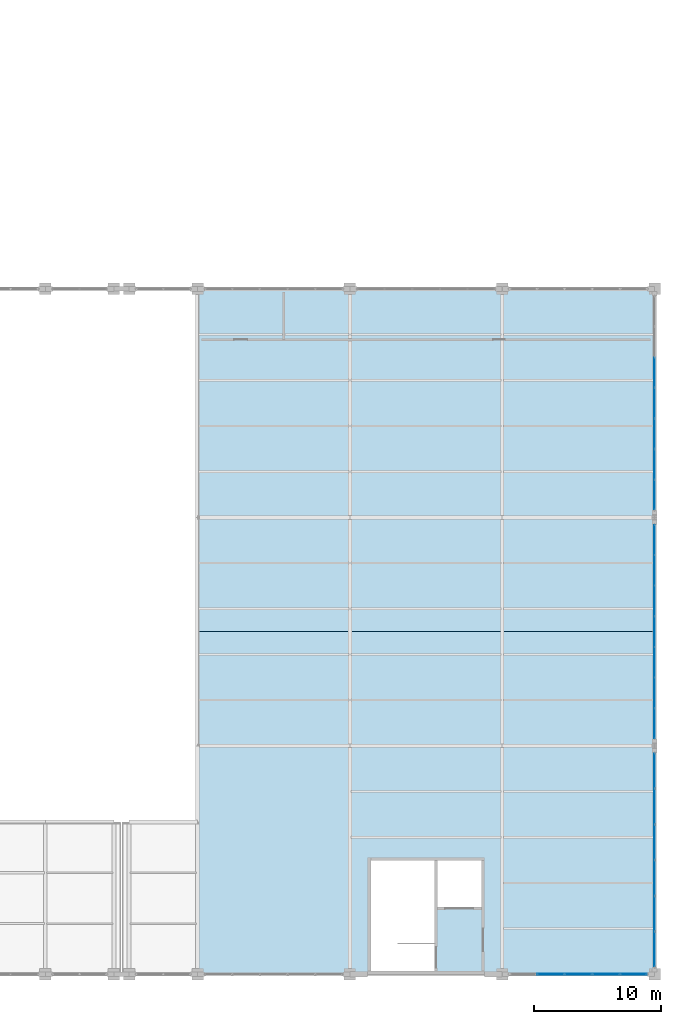
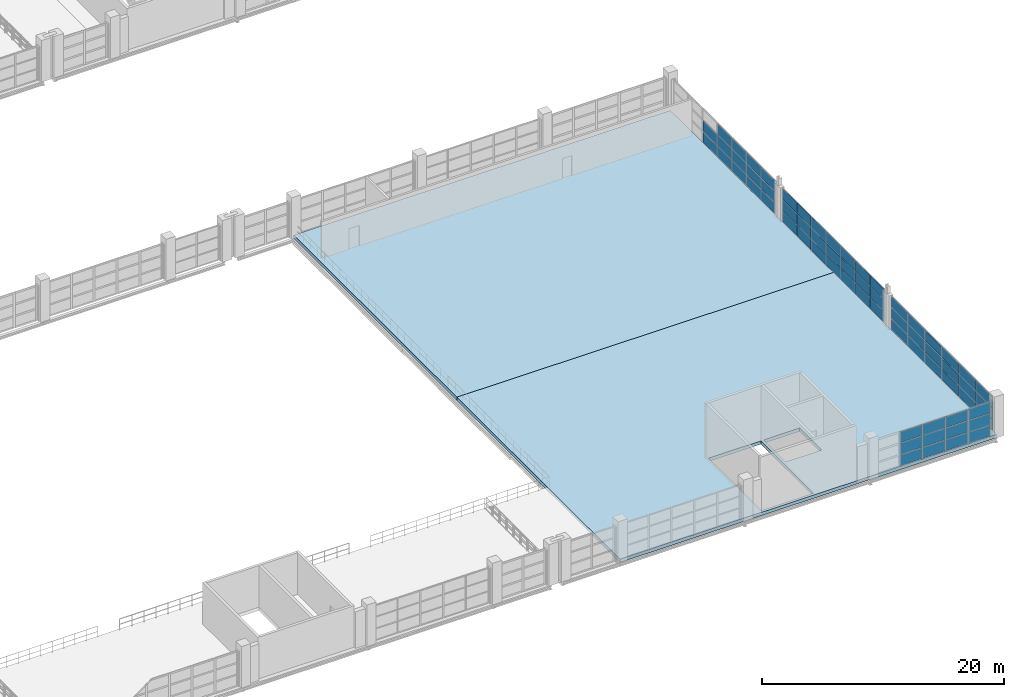
# One storey, part 132 of 158: 65 plates, 2 slabs, 4 elements without a shape of their own.
"""IFC4 building model written with IfcOpenShell, lengths in metres."""

from ifc_helpers import new_model, si_unit, direction, frame, origin, origin_2d, place, context, subcontext, project, spatial, polyline, rectangle, outline, extrude, material, layer, layer_set, type_object, element, aggregate, save


model = new_model("IFC4")

# Units and contexts
model_context = context("Model", 3, precision=1e-05, world=origin(), true_north=direction((0.0, 1.0)))
body_context = subcontext(model_context, "Body", "Model", "MODEL_VIEW")
ifc_project = project(units=[si_unit("LENGTHUNIT", "METRE"), si_unit("AREAUNIT", "SQUARE_METRE"), si_unit("VOLUMEUNIT", "CUBIC_METRE"), si_unit("PLANEANGLEUNIT", "RADIAN"), si_unit("MASSUNIT", "GRAM", prefix="KILO")], contexts=[model_context])

# Site, building, storey
site_placement = place(None, origin())
site = spatial("IfcSite", under=ifc_project, at=site_placement, CompositionType="ELEMENT")
building_placement = place(site_placement, origin())
building = spatial("IfcBuilding", under=site, at=building_placement, Name="Zilviju Railside Exhibition Hall", CompositionType="ELEMENT")
storey_placement = place(building_placement, frame((0.0, 0.0, 4.199951171875)))
storey = spatial("IfcBuildingStorey", under=building, at=storey_placement, Name="L02", CompositionType="ELEMENT", Elevation=4.199951171875)

# Curtain wall, plates
ifc_material_1 = material(Name="Thermally broken aluminium-steel triple-glazed curtain wall", Category="steel")
ifc_layer_1 = layer(ifc_material_1, 0.179931640625)
ifc_layer_set_1 = layer_set([ifc_layer_1], Name="Thermally broken aluminium-steel triple-glazed curtain wall")
curtain_wall_type_1 = type_object("IfcCurtainWallType", Name="CW-BAY-10", PredefinedType="USERDEFINED", material=ifc_layer_set_1)
curtain_wall_1_placement = place(storey_placement, origin())
curtain_wall_1 = element("IfcCurtainWall", 1, at=curtain_wall_1_placement, inside=storey, type_object=curtain_wall_type_1, Name="South Hall East Glazed Gable L02 (18..36)", ObjectType="GLAZED CURTAIN WALL", PredefinedType="USERDEFINED")
ifc_material_2 = material(Name="Triple-glazed low-E argon insulating glass unit", Category="glass")
ifc_layer_2 = layer(ifc_material_2, 0.0439453125)
ifc_layer_set_2 = layer_set([ifc_layer_2], Name="Triple-glazed low-E argon insulating glass unit")
plate_type_1 = type_object("IfcPlateType", Name="CWP-IGU-44", PredefinedType="CURTAIN_PANEL", material=ifc_layer_set_2)
plate_1_placement = place(storey_placement, frame((216.0, 34.22900390625, 0.05517578125), z_axis=(0.0, 0.0, 1.0), x_axis=(0.0, -1.0, 0.0)))
plate_1 = element("IfcPlate", 2, at=plate_1_placement, type_object=plate_type_1, Name="CW-10 panel 1.1", PredefinedType="CURTAIN_PANEL", context=body_context, shape_type="SweptSolid", body=[
    extrude(rectangle(XDim=2.331787109375, YDim=0.0439453125, at=origin_2d()), origin(), (0.0, 0.0, 1.0), 1.077392578125),
])
plate_2_placement = place(storey_placement, frame((216.0, 34.22900390625, 1.1875), z_axis=(0.0, 0.0, 1.0), x_axis=(0.0, -1.0, 0.0)))
plate_2 = element("IfcPlate", 3, at=plate_2_placement, type_object=plate_type_1, Name="CW-10 panel 1.2", PredefinedType="CURTAIN_PANEL", context=body_context, shape_type="SweptSolid", body=[
    extrude(rectangle(XDim=2.331787109375, YDim=0.0439453125, at=origin_2d()), origin(), (0.0, 0.0, 1.0), 1.10498046875),
])
plate_3_placement = place(storey_placement, frame((216.0, 34.22900390625, 2.34765625), z_axis=(0.0, 0.0, 1.0), x_axis=(0.0, -1.0, 0.0)))
plate_3 = element("IfcPlate", 4, at=plate_3_placement, type_object=plate_type_1, Name="CW-10 panel 1.3", PredefinedType="CURTAIN_PANEL", context=body_context, shape_type="SweptSolid", body=[
    extrude(rectangle(XDim=2.331787109375, YDim=0.0439453125, at=origin_2d()), origin(), (0.0, 0.0, 1.0), 1.077392578125),
])
plate_4_placement = place(storey_placement, frame((216.0, 31.82861328125, 0.05517578125), z_axis=(0.0, 0.0, 1.0), x_axis=(0.0, -1.0, 0.0)))
plate_4 = element("IfcPlate", 5, at=plate_4_placement, type_object=plate_type_1, Name="CW-10 panel 2.1", PredefinedType="CURTAIN_PANEL", context=body_context, shape_type="SweptSolid", body=[
    extrude(rectangle(XDim=2.359375, YDim=0.0439453125, at=origin_2d()), origin(), (0.0, 0.0, 1.0), 1.077392578125),
])
plate_5_placement = place(storey_placement, frame((216.0, 31.82861328125, 1.1875), z_axis=(0.0, 0.0, 1.0), x_axis=(0.0, -1.0, 0.0)))
plate_5 = element("IfcPlate", 6, at=plate_5_placement, type_object=plate_type_1, Name="CW-10 panel 2.2", PredefinedType="CURTAIN_PANEL", context=body_context, shape_type="SweptSolid", body=[
    extrude(rectangle(XDim=2.359375, YDim=0.0439453125, at=origin_2d()), origin(), (0.0, 0.0, 1.0), 1.10498046875),
])
plate_6_placement = place(storey_placement, frame((216.0, 31.82861328125, 2.34765625), z_axis=(0.0, 0.0, 1.0), x_axis=(0.0, -1.0, 0.0)))
plate_6 = element("IfcPlate", 7, at=plate_6_placement, type_object=plate_type_1, Name="CW-10 panel 2.3", PredefinedType="CURTAIN_PANEL", context=body_context, shape_type="SweptSolid", body=[
    extrude(rectangle(XDim=2.359375, YDim=0.0439453125, at=origin_2d()), origin(), (0.0, 0.0, 1.0), 1.077392578125),
])
plate_7_placement = place(storey_placement, frame((216.0, 29.414306640625, 0.05517578125), z_axis=(0.0, 0.0, 1.0), x_axis=(0.0, -1.0, 0.0)))
plate_7 = element("IfcPlate", 8, at=plate_7_placement, type_object=plate_type_1, Name="CW-10 panel 3.1", PredefinedType="CURTAIN_PANEL", context=body_context, shape_type="SweptSolid", body=[
    extrude(rectangle(XDim=2.359375, YDim=0.0439453125, at=origin_2d()), origin(), (0.0, 0.0, 1.0), 1.077392578125),
])
plate_8_placement = place(storey_placement, frame((216.0, 29.414306640625, 1.1875), z_axis=(0.0, 0.0, 1.0), x_axis=(0.0, -1.0, 0.0)))
plate_8 = element("IfcPlate", 9, at=plate_8_placement, type_object=plate_type_1, Name="CW-10 panel 3.2", PredefinedType="CURTAIN_PANEL", context=body_context, shape_type="SweptSolid", body=[
    extrude(rectangle(XDim=2.359375, YDim=0.0439453125, at=origin_2d()), origin(), (0.0, 0.0, 1.0), 1.10498046875),
])
plate_9_placement = place(storey_placement, frame((216.0, 29.414306640625, 2.34765625), z_axis=(0.0, 0.0, 1.0), x_axis=(0.0, -1.0, 0.0)))
plate_9 = element("IfcPlate", 10, at=plate_9_placement, type_object=plate_type_1, Name="CW-10 panel 3.3", PredefinedType="CURTAIN_PANEL", context=body_context, shape_type="SweptSolid", body=[
    extrude(rectangle(XDim=2.359375, YDim=0.0439453125, at=origin_2d()), origin(), (0.0, 0.0, 1.0), 1.077392578125),
])
plate_10_placement = place(storey_placement, frame((216.0, 27.0, 0.05517578125), z_axis=(0.0, 0.0, 1.0), x_axis=(0.0, -1.0, 0.0)))
plate_10 = element("IfcPlate", 11, at=plate_10_placement, type_object=plate_type_1, Name="CW-10 panel 4.1", PredefinedType="CURTAIN_PANEL", context=body_context, shape_type="SweptSolid", body=[
    extrude(rectangle(XDim=2.359375, YDim=0.0439453125, at=origin_2d()), origin(), (0.0, 0.0, 1.0), 1.077392578125),
])
plate_11_placement = place(storey_placement, frame((216.0, 27.0, 1.1875), z_axis=(0.0, 0.0, 1.0), x_axis=(0.0, -1.0, 0.0)))
plate_11 = element("IfcPlate", 12, at=plate_11_placement, type_object=plate_type_1, Name="CW-10 panel 4.2", PredefinedType="CURTAIN_PANEL", context=body_context, shape_type="SweptSolid", body=[
    extrude(rectangle(XDim=2.359375, YDim=0.0439453125, at=origin_2d()), origin(), (0.0, 0.0, 1.0), 1.10498046875),
])
plate_12_placement = place(storey_placement, frame((216.0, 27.0, 2.34765625), z_axis=(0.0, 0.0, 1.0), x_axis=(0.0, -1.0, 0.0)))
plate_12 = element("IfcPlate", 13, at=plate_12_placement, type_object=plate_type_1, Name="CW-10 panel 4.3", PredefinedType="CURTAIN_PANEL", context=body_context, shape_type="SweptSolid", body=[
    extrude(rectangle(XDim=2.359375, YDim=0.0439453125, at=origin_2d()), origin(), (0.0, 0.0, 1.0), 1.077392578125),
])
plate_13_placement = place(storey_placement, frame((216.0, 24.585693359375, 0.05517578125), z_axis=(0.0, 0.0, 1.0), x_axis=(0.0, -1.0, 0.0)))
plate_13 = element("IfcPlate", 14, at=plate_13_placement, type_object=plate_type_1, Name="CW-10 panel 5.1", PredefinedType="CURTAIN_PANEL", context=body_context, shape_type="SweptSolid", body=[
    extrude(rectangle(XDim=2.359375, YDim=0.0439453125, at=origin_2d()), origin(), (0.0, 0.0, 1.0), 1.077392578125),
])
plate_14_placement = place(storey_placement, frame((216.0, 24.585693359375, 1.1875), z_axis=(0.0, 0.0, 1.0), x_axis=(0.0, -1.0, 0.0)))
plate_14 = element("IfcPlate", 15, at=plate_14_placement, type_object=plate_type_1, Name="CW-10 panel 5.2", PredefinedType="CURTAIN_PANEL", context=body_context, shape_type="SweptSolid", body=[
    extrude(rectangle(XDim=2.359375, YDim=0.0439453125, at=origin_2d()), origin(), (0.0, 0.0, 1.0), 1.10498046875),
])
plate_15_placement = place(storey_placement, frame((216.0, 24.585693359375, 2.34765625), z_axis=(0.0, 0.0, 1.0), x_axis=(0.0, -1.0, 0.0)))
plate_15 = element("IfcPlate", 16, at=plate_15_placement, type_object=plate_type_1, Name="CW-10 panel 5.3", PredefinedType="CURTAIN_PANEL", context=body_context, shape_type="SweptSolid", body=[
    extrude(rectangle(XDim=2.359375, YDim=0.0439453125, at=origin_2d()), origin(), (0.0, 0.0, 1.0), 1.077392578125),
])
plate_16_placement = place(storey_placement, frame((216.0, 22.17138671875, 0.05517578125), z_axis=(0.0, 0.0, 1.0), x_axis=(0.0, -1.0, 0.0)))
plate_16 = element("IfcPlate", 17, at=plate_16_placement, type_object=plate_type_1, Name="CW-10 panel 6.1", PredefinedType="CURTAIN_PANEL", context=body_context, shape_type="SweptSolid", body=[
    extrude(rectangle(XDim=2.359375, YDim=0.0439453125, at=origin_2d()), origin(), (0.0, 0.0, 1.0), 1.077392578125),
])
plate_17_placement = place(storey_placement, frame((216.0, 22.17138671875, 1.1875), z_axis=(0.0, 0.0, 1.0), x_axis=(0.0, -1.0, 0.0)))
plate_17 = element("IfcPlate", 18, at=plate_17_placement, type_object=plate_type_1, Name="CW-10 panel 6.2", PredefinedType="CURTAIN_PANEL", context=body_context, shape_type="SweptSolid", body=[
    extrude(rectangle(XDim=2.359375, YDim=0.0439453125, at=origin_2d()), origin(), (0.0, 0.0, 1.0), 1.10498046875),
])
plate_18_placement = place(storey_placement, frame((216.0, 22.17138671875, 2.34765625), z_axis=(0.0, 0.0, 1.0), x_axis=(0.0, -1.0, 0.0)))
plate_18 = element("IfcPlate", 19, at=plate_18_placement, type_object=plate_type_1, Name="CW-10 panel 6.3", PredefinedType="CURTAIN_PANEL", context=body_context, shape_type="SweptSolid", body=[
    extrude(rectangle(XDim=2.359375, YDim=0.0439453125, at=origin_2d()), origin(), (0.0, 0.0, 1.0), 1.077392578125),
])
plate_19_placement = place(storey_placement, frame((216.0, 19.77099609375, 0.05517578125), z_axis=(0.0, 0.0, 1.0), x_axis=(0.0, -1.0, 0.0)))
plate_19 = element("IfcPlate", 20, at=plate_19_placement, type_object=plate_type_1, Name="CW-10 panel 7.1", PredefinedType="CURTAIN_PANEL", context=body_context, shape_type="SweptSolid", body=[
    extrude(rectangle(XDim=2.331787109375, YDim=0.0439453125, at=origin_2d()), origin(), (0.0, 0.0, 1.0), 1.077392578125),
])
plate_20_placement = place(storey_placement, frame((216.0, 19.77099609375, 1.1875), z_axis=(0.0, 0.0, 1.0), x_axis=(0.0, -1.0, 0.0)))
plate_20 = element("IfcPlate", 21, at=plate_20_placement, type_object=plate_type_1, Name="CW-10 panel 7.2", PredefinedType="CURTAIN_PANEL", context=body_context, shape_type="SweptSolid", body=[
    extrude(rectangle(XDim=2.331787109375, YDim=0.0439453125, at=origin_2d()), origin(), (0.0, 0.0, 1.0), 1.10498046875),
])
plate_21_placement = place(storey_placement, frame((216.0, 19.77099609375, 2.34765625), z_axis=(0.0, 0.0, 1.0), x_axis=(0.0, -1.0, 0.0)))
plate_21 = element("IfcPlate", 22, at=plate_21_placement, type_object=plate_type_1, Name="CW-10 panel 7.3", PredefinedType="CURTAIN_PANEL", context=body_context, shape_type="SweptSolid", body=[
    extrude(rectangle(XDim=2.331787109375, YDim=0.0439453125, at=origin_2d()), origin(), (0.0, 0.0, 1.0), 1.077392578125),
])
aggregate(curtain_wall_1, [plate_1, plate_2, plate_3, plate_4, plate_5, plate_6, plate_7, plate_8, plate_9, plate_10, plate_11, plate_12, plate_13, plate_14, plate_15, plate_16, plate_17, plate_18, plate_19, plate_20, plate_21])

ifc_layer_3 = layer(ifc_material_1, 0.179931640625)
ifc_layer_set_3 = layer_set([ifc_layer_3], Name="Thermally broken aluminium-steel triple-glazed curtain wall")
curtain_wall_type_2 = type_object("IfcCurtainWallType", Name="CW-BAY-11", PredefinedType="USERDEFINED", material=ifc_layer_set_3)
curtain_wall_2_placement = place(storey_placement, origin())
curtain_wall_2 = element("IfcCurtainWall", 23, at=curtain_wall_2_placement, inside=storey, type_object=curtain_wall_type_2, Name="South Hall East Glazed Gable L02 (36..54)", ObjectType="GLAZED CURTAIN WALL", PredefinedType="USERDEFINED")
plate_22_placement = place(storey_placement, frame((216.0, 47.414306640625, 0.0703125), z_axis=(0.0, 0.0, 1.0), x_axis=(0.0, -1.0, 0.0)))
plate_22 = element("IfcPlate", 24, at=plate_22_placement, type_object=plate_type_1, Name="CW-11 panel 3.1", PredefinedType="CURTAIN_PANEL", context=body_context, shape_type="SweptSolid", body=[
    extrude(rectangle(XDim=2.34423828125, YDim=0.0439453125, at=origin_2d()), origin(), (0.0, 0.0, 1.0), 1.054931640625),
])
plate_23_placement = place(storey_placement, frame((216.0, 47.414306640625, 1.19482421875), z_axis=(0.0, 0.0, 1.0), x_axis=(0.0, -1.0, 0.0)))
plate_23 = element("IfcPlate", 25, at=plate_23_placement, type_object=plate_type_1, Name="CW-11 panel 3.2", PredefinedType="CURTAIN_PANEL", context=body_context, shape_type="SweptSolid", body=[
    extrude(rectangle(XDim=2.34423828125, YDim=0.0439453125, at=origin_2d()), origin(), (0.0, 0.0, 1.0), 1.090087890625),
])
plate_24_placement = place(storey_placement, frame((216.0, 45.0, 0.0703125), z_axis=(0.0, 0.0, 1.0), x_axis=(0.0, -1.0, 0.0)))
plate_24 = element("IfcPlate", 26, at=plate_24_placement, type_object=plate_type_1, Name="CW-11 panel 4.1", PredefinedType="CURTAIN_PANEL", context=body_context, shape_type="SweptSolid", body=[
    extrude(rectangle(XDim=2.34423828125, YDim=0.0439453125, at=origin_2d()), origin(), (0.0, 0.0, 1.0), 1.054931640625),
])
plate_25_placement = place(storey_placement, frame((216.0, 45.0, 1.19482421875), z_axis=(0.0, 0.0, 1.0), x_axis=(0.0, -1.0, 0.0)))
plate_25 = element("IfcPlate", 27, at=plate_25_placement, type_object=plate_type_1, Name="CW-11 panel 4.2", PredefinedType="CURTAIN_PANEL", context=body_context, shape_type="SweptSolid", body=[
    extrude(rectangle(XDim=2.34423828125, YDim=0.0439453125, at=origin_2d()), origin(), (0.0, 0.0, 1.0), 1.090087890625),
])
plate_26_placement = place(storey_placement, frame((216.0, 45.0, 2.35498046875), z_axis=(0.0, 0.0, 1.0), x_axis=(0.0, -1.0, 0.0)))
plate_26 = element("IfcPlate", 28, at=plate_26_placement, type_object=plate_type_1, Name="CW-11 panel 4.3", PredefinedType="CURTAIN_PANEL", context=body_context, shape_type="SweptSolid", body=[
    extrude(rectangle(XDim=2.34423828125, YDim=0.0439453125, at=origin_2d()), origin(), (0.0, 0.0, 1.0), 1.054931640625),
])
plate_27_placement = place(storey_placement, frame((216.0, 42.585693359375, 0.0703125), z_axis=(0.0, 0.0, 1.0), x_axis=(0.0, -1.0, 0.0)))
plate_27 = element("IfcPlate", 29, at=plate_27_placement, type_object=plate_type_1, Name="CW-11 panel 5.1", PredefinedType="CURTAIN_PANEL", context=body_context, shape_type="SweptSolid", body=[
    extrude(rectangle(XDim=2.34423828125, YDim=0.0439453125, at=origin_2d()), origin(), (0.0, 0.0, 1.0), 1.054931640625),
])
plate_28_placement = place(storey_placement, frame((216.0, 42.585693359375, 1.19482421875), z_axis=(0.0, 0.0, 1.0), x_axis=(0.0, -1.0, 0.0)))
plate_28 = element("IfcPlate", 30, at=plate_28_placement, type_object=plate_type_1, Name="CW-11 panel 5.2", PredefinedType="CURTAIN_PANEL", context=body_context, shape_type="SweptSolid", body=[
    extrude(rectangle(XDim=2.34423828125, YDim=0.0439453125, at=origin_2d()), origin(), (0.0, 0.0, 1.0), 1.090087890625),
])
plate_29_placement = place(storey_placement, frame((216.0, 42.585693359375, 2.35498046875), z_axis=(0.0, 0.0, 1.0), x_axis=(0.0, -1.0, 0.0)))
plate_29 = element("IfcPlate", 31, at=plate_29_placement, type_object=plate_type_1, Name="CW-11 panel 5.3", PredefinedType="CURTAIN_PANEL", context=body_context, shape_type="SweptSolid", body=[
    extrude(rectangle(XDim=2.34423828125, YDim=0.0439453125, at=origin_2d()), origin(), (0.0, 0.0, 1.0), 1.054931640625),
])
plate_30_placement = place(storey_placement, frame((216.0, 40.17138671875, 0.0703125), z_axis=(0.0, 0.0, 1.0), x_axis=(0.0, -1.0, 0.0)))
plate_30 = element("IfcPlate", 32, at=plate_30_placement, type_object=plate_type_1, Name="CW-11 panel 6.1", PredefinedType="CURTAIN_PANEL", context=body_context, shape_type="SweptSolid", body=[
    extrude(rectangle(XDim=2.34423828125, YDim=0.0439453125, at=origin_2d()), origin(), (0.0, 0.0, 1.0), 1.054931640625),
])
plate_31_placement = place(storey_placement, frame((216.0, 40.17138671875, 1.19482421875), z_axis=(0.0, 0.0, 1.0), x_axis=(0.0, -1.0, 0.0)))
plate_31 = element("IfcPlate", 33, at=plate_31_placement, type_object=plate_type_1, Name="CW-11 panel 6.2", PredefinedType="CURTAIN_PANEL", context=body_context, shape_type="SweptSolid", body=[
    extrude(rectangle(XDim=2.34423828125, YDim=0.0439453125, at=origin_2d()), origin(), (0.0, 0.0, 1.0), 1.090087890625),
])
plate_32_placement = place(storey_placement, frame((216.0, 40.17138671875, 2.35498046875), z_axis=(0.0, 0.0, 1.0), x_axis=(0.0, -1.0, 0.0)))
plate_32 = element("IfcPlate", 34, at=plate_32_placement, type_object=plate_type_1, Name="CW-11 panel 6.3", PredefinedType="CURTAIN_PANEL", context=body_context, shape_type="SweptSolid", body=[
    extrude(rectangle(XDim=2.34423828125, YDim=0.0439453125, at=origin_2d()), origin(), (0.0, 0.0, 1.0), 1.054931640625),
])
plate_33_placement = place(storey_placement, frame((216.0, 37.774658203125, 0.0703125), z_axis=(0.0, 0.0, 1.0), x_axis=(0.0, -1.0, 0.0)))
plate_33 = element("IfcPlate", 35, at=plate_33_placement, type_object=plate_type_1, Name="CW-11 panel 7.1", PredefinedType="CURTAIN_PANEL", context=body_context, shape_type="SweptSolid", body=[
    extrude(rectangle(XDim=2.309326171875, YDim=0.0439453125, at=origin_2d()), origin(), (0.0, 0.0, 1.0), 1.054931640625),
])
plate_34_placement = place(storey_placement, frame((216.0, 37.774658203125, 1.19482421875), z_axis=(0.0, 0.0, 1.0), x_axis=(0.0, -1.0, 0.0)))
plate_34 = element("IfcPlate", 36, at=plate_34_placement, type_object=plate_type_1, Name="CW-11 panel 7.2", PredefinedType="CURTAIN_PANEL", context=body_context, shape_type="SweptSolid", body=[
    extrude(rectangle(XDim=2.309326171875, YDim=0.0439453125, at=origin_2d()), origin(), (0.0, 0.0, 1.0), 1.090087890625),
])
plate_35_placement = place(storey_placement, frame((216.0, 37.774658203125, 2.35498046875), z_axis=(0.0, 0.0, 1.0), x_axis=(0.0, -1.0, 0.0)))
plate_35 = element("IfcPlate", 37, at=plate_35_placement, type_object=plate_type_1, Name="CW-11 panel 7.3", PredefinedType="CURTAIN_PANEL", context=body_context, shape_type="SweptSolid", body=[
    extrude(rectangle(XDim=2.309326171875, YDim=0.0439453125, at=origin_2d()), origin(), (0.0, 0.0, 1.0), 1.054931640625),
])
aggregate(curtain_wall_2, [plate_22, plate_23, plate_24, plate_25, plate_26, plate_27, plate_28, plate_29, plate_30, plate_31, plate_32, plate_33, plate_34, plate_35])

ifc_layer_4 = layer(ifc_material_1, 0.179931640625)
ifc_layer_set_4 = layer_set([ifc_layer_4], Name="Thermally broken aluminium-steel triple-glazed curtain wall")
curtain_wall_type_3 = type_object("IfcCurtainWallType", Name="CW-BAY-16", PredefinedType="USERDEFINED", material=ifc_layer_set_4)
curtain_wall_3_placement = place(storey_placement, origin())
curtain_wall_3 = element("IfcCurtainWall", 38, at=curtain_wall_3_placement, inside=storey, type_object=curtain_wall_type_3, Name="South Hall Facade Curtain Wall L02 (204..216)", ObjectType="GLAZED CURTAIN WALL", PredefinedType="USERDEFINED")
ifc_material_3 = material(Name="Insulated cobalt-blue enamelled spandrel glass panel", Category="glass")
ifc_layer_5 = layer(ifc_material_3, 0.052001953125)
ifc_layer_set_5 = layer_set([ifc_layer_5], Name="Insulated cobalt-blue enamelled spandrel glass panel")
plate_type_2 = type_object("IfcPlateType", Name="CWP-SPD-52", PredefinedType="CURTAIN_PANEL", material=ifc_layer_set_5)
plate_36_placement = place(storey_placement, frame((214.340087890625, 0.0, 0.080078125), z_axis=(0.0, 0.0, 1.0), x_axis=(-1.0, 0.0, 0.0)))
plate_36 = element("IfcPlate", 39, at=plate_36_placement, type_object=plate_type_2, Name="CW-16 panel 1.1", PredefinedType="CURTAIN_PANEL", context=body_context, shape_type="SweptSolid", body=[
    extrude(rectangle(XDim=2.06005859375, YDim=0.052001953125, at=origin_2d()), origin(), (0.0, 0.0, 1.0), 1.06689453125),
])
plate_37_placement = place(storey_placement, frame((214.340087890625, 0.0, 1.22705078125), z_axis=(0.0, 0.0, 1.0), x_axis=(-1.0, 0.0, 0.0)))
plate_37 = element("IfcPlate", 40, at=plate_37_placement, type_object=plate_type_2, Name="CW-16 panel 1.2", PredefinedType="CURTAIN_PANEL", context=body_context, shape_type="SweptSolid", body=[
    extrude(rectangle(XDim=2.06005859375, YDim=0.052001953125, at=origin_2d()), origin(), (0.0, 0.0, 1.0), 1.10595703125),
])
plate_38_placement = place(storey_placement, frame((214.340087890625, 0.0, 2.4130859375), z_axis=(0.0, 0.0, 1.0), x_axis=(-1.0, 0.0, 0.0)))
plate_38 = element("IfcPlate", 41, at=plate_38_placement, type_object=plate_type_2, Name="CW-16 panel 1.3", PredefinedType="CURTAIN_PANEL", context=body_context, shape_type="SweptSolid", body=[
    extrude(rectangle(XDim=2.06005859375, YDim=0.052001953125, at=origin_2d()), origin(), (0.0, 0.0, 1.0), 1.06689453125),
])
plate_39_placement = place(storey_placement, frame((212.179931640625, 0.0, 0.080078125), z_axis=(0.0, 0.0, 1.0), x_axis=(-1.0, 0.0, 0.0)))
plate_39 = element("IfcPlate", 42, at=plate_39_placement, type_object=plate_type_2, Name="CW-16 panel 2.1", PredefinedType="CURTAIN_PANEL", context=body_context, shape_type="SweptSolid", body=[
    extrude(rectangle(XDim=2.10009765625, YDim=0.052001953125, at=origin_2d()), origin(), (0.0, 0.0, 1.0), 1.06689453125),
])
plate_40_placement = place(storey_placement, frame((212.179931640625, 0.0, 1.22705078125), z_axis=(0.0, 0.0, 1.0), x_axis=(-1.0, 0.0, 0.0)))
plate_40 = element("IfcPlate", 43, at=plate_40_placement, type_object=plate_type_2, Name="CW-16 panel 2.2", PredefinedType="CURTAIN_PANEL", context=body_context, shape_type="SweptSolid", body=[
    extrude(rectangle(XDim=2.10009765625, YDim=0.052001953125, at=origin_2d()), origin(), (0.0, 0.0, 1.0), 1.10595703125),
])
plate_41_placement = place(storey_placement, frame((212.179931640625, 0.0, 2.4130859375), z_axis=(0.0, 0.0, 1.0), x_axis=(-1.0, 0.0, 0.0)))
plate_41 = element("IfcPlate", 44, at=plate_41_placement, type_object=plate_type_2, Name="CW-16 panel 2.3", PredefinedType="CURTAIN_PANEL", context=body_context, shape_type="SweptSolid", body=[
    extrude(rectangle(XDim=2.10009765625, YDim=0.052001953125, at=origin_2d()), origin(), (0.0, 0.0, 1.0), 1.06689453125),
])
plate_42_placement = place(storey_placement, frame((210.0, 0.0, 0.080078125), z_axis=(0.0, 0.0, 1.0), x_axis=(-1.0, 0.0, 0.0)))
plate_42 = element("IfcPlate", 45, at=plate_42_placement, type_object=plate_type_2, Name="CW-16 panel 3.1", PredefinedType="CURTAIN_PANEL", context=body_context, shape_type="SweptSolid", body=[
    extrude(rectangle(XDim=2.10009765625, YDim=0.052001953125, at=origin_2d()), origin(), (0.0, 0.0, 1.0), 1.06689453125),
])
plate_43_placement = place(storey_placement, frame((210.0, 0.0, 1.22705078125), z_axis=(0.0, 0.0, 1.0), x_axis=(-1.0, 0.0, 0.0)))
plate_43 = element("IfcPlate", 46, at=plate_43_placement, type_object=plate_type_2, Name="CW-16 panel 3.2", PredefinedType="CURTAIN_PANEL", context=body_context, shape_type="SweptSolid", body=[
    extrude(rectangle(XDim=2.10009765625, YDim=0.052001953125, at=origin_2d()), origin(), (0.0, 0.0, 1.0), 1.10595703125),
])
plate_44_placement = place(storey_placement, frame((210.0, 0.0, 2.4130859375), z_axis=(0.0, 0.0, 1.0), x_axis=(-1.0, 0.0, 0.0)))
plate_44 = element("IfcPlate", 47, at=plate_44_placement, type_object=plate_type_2, Name="CW-16 panel 3.3", PredefinedType="CURTAIN_PANEL", context=body_context, shape_type="SweptSolid", body=[
    extrude(rectangle(XDim=2.10009765625, YDim=0.052001953125, at=origin_2d()), origin(), (0.0, 0.0, 1.0), 1.06689453125),
])
plate_45_placement = place(storey_placement, frame((207.820068359375, 0.0, 0.080078125), z_axis=(0.0, 0.0, 1.0), x_axis=(-1.0, 0.0, 0.0)))
plate_45 = element("IfcPlate", 48, at=plate_45_placement, type_object=plate_type_2, Name="CW-16 panel 4.1", PredefinedType="CURTAIN_PANEL", context=body_context, shape_type="SweptSolid", body=[
    extrude(rectangle(XDim=2.10009765625, YDim=0.052001953125, at=origin_2d()), origin(), (0.0, 0.0, 1.0), 1.06689453125),
])
plate_46_placement = place(storey_placement, frame((207.820068359375, 0.0, 1.22705078125), z_axis=(0.0, 0.0, 1.0), x_axis=(-1.0, 0.0, 0.0)))
plate_46 = element("IfcPlate", 49, at=plate_46_placement, type_object=plate_type_2, Name="CW-16 panel 4.2", PredefinedType="CURTAIN_PANEL", context=body_context, shape_type="SweptSolid", body=[
    extrude(rectangle(XDim=2.10009765625, YDim=0.052001953125, at=origin_2d()), origin(), (0.0, 0.0, 1.0), 1.10595703125),
])
plate_47_placement = place(storey_placement, frame((207.820068359375, 0.0, 2.4130859375), z_axis=(0.0, 0.0, 1.0), x_axis=(-1.0, 0.0, 0.0)))
plate_47 = element("IfcPlate", 50, at=plate_47_placement, type_object=plate_type_2, Name="CW-16 panel 4.3", PredefinedType="CURTAIN_PANEL", context=body_context, shape_type="SweptSolid", body=[
    extrude(rectangle(XDim=2.10009765625, YDim=0.052001953125, at=origin_2d()), origin(), (0.0, 0.0, 1.0), 1.06689453125),
])
aggregate(curtain_wall_3, [plate_36, plate_37, plate_38, plate_39, plate_40, plate_41, plate_42, plate_43, plate_44, plate_45, plate_46, plate_47])

ifc_layer_6 = layer(ifc_material_1, 0.179931640625)
ifc_layer_set_6 = layer_set([ifc_layer_6], Name="Thermally broken aluminium-steel triple-glazed curtain wall")
curtain_wall_type_4 = type_object("IfcCurtainWallType", Name="CW-BAY-09", PredefinedType="USERDEFINED", material=ifc_layer_set_6)
curtain_wall_4_placement = place(storey_placement, origin())
curtain_wall_4 = element("IfcCurtainWall", 51, at=curtain_wall_4_placement, inside=storey, type_object=curtain_wall_type_4, Name="South Hall East Glazed Gable L02 (0..18)", ObjectType="GLAZED CURTAIN WALL", PredefinedType="USERDEFINED")
ifc_material_4 = material(Name="Insulated emerald ceramic-frit spandrel panel", Category="glass")
ifc_layer_7 = layer(ifc_material_4, 0.06396484375)
ifc_layer_set_7 = layer_set([ifc_layer_7], Name="Insulated emerald ceramic-frit spandrel panel")
plate_type_3 = type_object("IfcPlateType", Name="CWP-SPD-64", PredefinedType="CURTAIN_PANEL", material=ifc_layer_set_7)
plate_48_placement = place(storey_placement, frame((216.0, 16.02294921875, 0.0751953125), z_axis=(0.0, 0.0, 1.0), x_axis=(0.0, -1.0, 0.0)))
plate_48 = element("IfcPlate", 52, at=plate_48_placement, type_object=plate_type_3, Name="CW-09 panel 1.1", PredefinedType="CURTAIN_PANEL", context=body_context, shape_type="SweptSolid", body=[
    extrude(rectangle(XDim=2.7041015625, YDim=0.06396484375, at=origin_2d()), origin(), (0.0, 0.0, 1.0), 1.047607421875),
])
plate_49_placement = place(storey_placement, frame((216.0, 16.02294921875, 1.197509765625), z_axis=(0.0, 0.0, 1.0), x_axis=(0.0, -1.0, 0.0)))
plate_49 = element("IfcPlate", 53, at=plate_49_placement, type_object=plate_type_3, Name="CW-09 panel 1.2", PredefinedType="CURTAIN_PANEL", context=body_context, shape_type="SweptSolid", body=[
    extrude(rectangle(XDim=2.7041015625, YDim=0.06396484375, at=origin_2d()), origin(), (0.0, 0.0, 1.0), 1.0849609375),
])
plate_50_placement = place(storey_placement, frame((216.0, 16.02294921875, 2.357421875), z_axis=(0.0, 0.0, 1.0), x_axis=(0.0, -1.0, 0.0)))
plate_50 = element("IfcPlate", 54, at=plate_50_placement, type_object=plate_type_3, Name="CW-09 panel 1.3", PredefinedType="CURTAIN_PANEL", context=body_context, shape_type="SweptSolid", body=[
    extrude(rectangle(XDim=2.7041015625, YDim=0.06396484375, at=origin_2d()), origin(), (0.0, 0.0, 1.0), 1.047607421875),
])
plate_51_placement = place(storey_placement, frame((216.0, 13.22509765625, 0.0751953125), z_axis=(0.0, 0.0, 1.0), x_axis=(0.0, -1.0, 0.0)))
plate_51 = element("IfcPlate", 55, at=plate_51_placement, type_object=plate_type_3, Name="CW-09 panel 2.1", PredefinedType="CURTAIN_PANEL", context=body_context, shape_type="SweptSolid", body=[
    extrude(rectangle(XDim=2.74169921875, YDim=0.06396484375, at=origin_2d()), origin(), (0.0, 0.0, 1.0), 1.047607421875),
])
plate_52_placement = place(storey_placement, frame((216.0, 13.22509765625, 1.197509765625), z_axis=(0.0, 0.0, 1.0), x_axis=(0.0, -1.0, 0.0)))
plate_52 = element("IfcPlate", 56, at=plate_52_placement, type_object=plate_type_3, Name="CW-09 panel 2.2", PredefinedType="CURTAIN_PANEL", context=body_context, shape_type="SweptSolid", body=[
    extrude(rectangle(XDim=2.74169921875, YDim=0.06396484375, at=origin_2d()), origin(), (0.0, 0.0, 1.0), 1.0849609375),
])
plate_53_placement = place(storey_placement, frame((216.0, 13.22509765625, 2.357421875), z_axis=(0.0, 0.0, 1.0), x_axis=(0.0, -1.0, 0.0)))
plate_53 = element("IfcPlate", 57, at=plate_53_placement, type_object=plate_type_3, Name="CW-09 panel 2.3", PredefinedType="CURTAIN_PANEL", context=body_context, shape_type="SweptSolid", body=[
    extrude(rectangle(XDim=2.74169921875, YDim=0.06396484375, at=origin_2d()), origin(), (0.0, 0.0, 1.0), 1.047607421875),
])
plate_54_placement = place(storey_placement, frame((216.0, 10.408447265625, 0.0751953125), z_axis=(0.0, 0.0, 1.0), x_axis=(0.0, -1.0, 0.0)))
plate_54 = element("IfcPlate", 58, at=plate_54_placement, type_object=plate_type_3, Name="CW-09 panel 3.1", PredefinedType="CURTAIN_PANEL", context=body_context, shape_type="SweptSolid", body=[
    extrude(rectangle(XDim=2.74169921875, YDim=0.06396484375, at=origin_2d()), origin(), (0.0, 0.0, 1.0), 1.047607421875),
])
plate_55_placement = place(storey_placement, frame((216.0, 10.408447265625, 1.197509765625), z_axis=(0.0, 0.0, 1.0), x_axis=(0.0, -1.0, 0.0)))
plate_55 = element("IfcPlate", 59, at=plate_55_placement, type_object=plate_type_3, Name="CW-09 panel 3.2", PredefinedType="CURTAIN_PANEL", context=body_context, shape_type="SweptSolid", body=[
    extrude(rectangle(XDim=2.74169921875, YDim=0.06396484375, at=origin_2d()), origin(), (0.0, 0.0, 1.0), 1.0849609375),
])
plate_56_placement = place(storey_placement, frame((216.0, 10.408447265625, 2.357421875), z_axis=(0.0, 0.0, 1.0), x_axis=(0.0, -1.0, 0.0)))
plate_56 = element("IfcPlate", 60, at=plate_56_placement, type_object=plate_type_3, Name="CW-09 panel 3.3", PredefinedType="CURTAIN_PANEL", context=body_context, shape_type="SweptSolid", body=[
    extrude(rectangle(XDim=2.74169921875, YDim=0.06396484375, at=origin_2d()), origin(), (0.0, 0.0, 1.0), 1.047607421875),
])
plate_57_placement = place(storey_placement, frame((216.0, 7.591552734375, 0.0751953125), z_axis=(0.0, 0.0, 1.0), x_axis=(0.0, -1.0, 0.0)))
plate_57 = element("IfcPlate", 61, at=plate_57_placement, type_object=plate_type_3, Name="CW-09 panel 4.1", PredefinedType="CURTAIN_PANEL", context=body_context, shape_type="SweptSolid", body=[
    extrude(rectangle(XDim=2.74169921875, YDim=0.06396484375, at=origin_2d()), origin(), (0.0, 0.0, 1.0), 1.047607421875),
])
plate_58_placement = place(storey_placement, frame((216.0, 7.591552734375, 1.197509765625), z_axis=(0.0, 0.0, 1.0), x_axis=(0.0, -1.0, 0.0)))
plate_58 = element("IfcPlate", 62, at=plate_58_placement, type_object=plate_type_3, Name="CW-09 panel 4.2", PredefinedType="CURTAIN_PANEL", context=body_context, shape_type="SweptSolid", body=[
    extrude(rectangle(XDim=2.74169921875, YDim=0.06396484375, at=origin_2d()), origin(), (0.0, 0.0, 1.0), 1.0849609375),
])
plate_59_placement = place(storey_placement, frame((216.0, 7.591552734375, 2.357421875), z_axis=(0.0, 0.0, 1.0), x_axis=(0.0, -1.0, 0.0)))
plate_59 = element("IfcPlate", 63, at=plate_59_placement, type_object=plate_type_3, Name="CW-09 panel 4.3", PredefinedType="CURTAIN_PANEL", context=body_context, shape_type="SweptSolid", body=[
    extrude(rectangle(XDim=2.74169921875, YDim=0.06396484375, at=origin_2d()), origin(), (0.0, 0.0, 1.0), 1.047607421875),
])
plate_60_placement = place(storey_placement, frame((216.0, 4.77490234375, 0.0751953125), z_axis=(0.0, 0.0, 1.0), x_axis=(0.0, -1.0, 0.0)))
plate_60 = element("IfcPlate", 64, at=plate_60_placement, type_object=plate_type_3, Name="CW-09 panel 5.1", PredefinedType="CURTAIN_PANEL", context=body_context, shape_type="SweptSolid", body=[
    extrude(rectangle(XDim=2.74169921875, YDim=0.06396484375, at=origin_2d()), origin(), (0.0, 0.0, 1.0), 1.047607421875),
])
plate_61_placement = place(storey_placement, frame((216.0, 4.77490234375, 1.197509765625), z_axis=(0.0, 0.0, 1.0), x_axis=(0.0, -1.0, 0.0)))
plate_61 = element("IfcPlate", 65, at=plate_61_placement, type_object=plate_type_3, Name="CW-09 panel 5.2", PredefinedType="CURTAIN_PANEL", context=body_context, shape_type="SweptSolid", body=[
    extrude(rectangle(XDim=2.74169921875, YDim=0.06396484375, at=origin_2d()), origin(), (0.0, 0.0, 1.0), 1.0849609375),
])
plate_62_placement = place(storey_placement, frame((216.0, 4.77490234375, 2.357421875), z_axis=(0.0, 0.0, 1.0), x_axis=(0.0, -1.0, 0.0)))
plate_62 = element("IfcPlate", 66, at=plate_62_placement, type_object=plate_type_3, Name="CW-09 panel 5.3", PredefinedType="CURTAIN_PANEL", context=body_context, shape_type="SweptSolid", body=[
    extrude(rectangle(XDim=2.74169921875, YDim=0.06396484375, at=origin_2d()), origin(), (0.0, 0.0, 1.0), 1.047607421875),
])
plate_63_placement = place(storey_placement, frame((216.0, 1.97705078125, 0.0751953125), z_axis=(0.0, 0.0, 1.0), x_axis=(0.0, -1.0, 0.0)))
plate_63 = element("IfcPlate", 67, at=plate_63_placement, type_object=plate_type_3, Name="CW-09 panel 6.1", PredefinedType="CURTAIN_PANEL", context=body_context, shape_type="SweptSolid", body=[
    extrude(rectangle(XDim=2.7041015625, YDim=0.06396484375, at=origin_2d()), origin(), (0.0, 0.0, 1.0), 1.047607421875),
])
plate_64_placement = place(storey_placement, frame((216.0, 1.97705078125, 1.197509765625), z_axis=(0.0, 0.0, 1.0), x_axis=(0.0, -1.0, 0.0)))
plate_64 = element("IfcPlate", 68, at=plate_64_placement, type_object=plate_type_3, Name="CW-09 panel 6.2", PredefinedType="CURTAIN_PANEL", context=body_context, shape_type="SweptSolid", body=[
    extrude(rectangle(XDim=2.7041015625, YDim=0.06396484375, at=origin_2d()), origin(), (0.0, 0.0, 1.0), 1.0849609375),
])
plate_65_placement = place(storey_placement, frame((216.0, 1.97705078125, 2.357421875), z_axis=(0.0, 0.0, 1.0), x_axis=(0.0, -1.0, 0.0)))
plate_65 = element("IfcPlate", 69, at=plate_65_placement, type_object=plate_type_3, Name="CW-09 panel 6.3", PredefinedType="CURTAIN_PANEL", context=body_context, shape_type="SweptSolid", body=[
    extrude(rectangle(XDim=2.7041015625, YDim=0.06396484375, at=origin_2d()), origin(), (0.0, 0.0, 1.0), 1.047607421875),
])
aggregate(curtain_wall_4, [plate_48, plate_49, plate_50, plate_51, plate_52, plate_53, plate_54, plate_55, plate_56, plate_57, plate_58, plate_59, plate_60, plate_61, plate_62, plate_63, plate_64, plate_65])

# Slabs
ifc_material_5 = material(Name="Concrete C35/45", Category="concrete")
ifc_layer_8 = layer(ifc_material_5, 0.330078125)
ifc_layer_set_8 = layer_set([ifc_layer_8], Name="Concrete C35/45")
slab_type = type_object("IfcSlabType", Name="SL-FLR-330", PredefinedType="FLOOR", material=ifc_layer_set_8)
slab_1_placement = place(storey_placement, frame((0.0, 0.0, -0.329833984375)))
element("IfcSlab", 70, at=slab_1_placement, inside=storey, type_object=slab_type, Name="South Hall L02 East Gallery South", PredefinedType="FLOOR", context=body_context, shape_type="SweptSolid", body=[
    extrude(outline(polyline([(180.0, 0.0), (216.0, 0.0), (216.0, 27.0), (180.0, 27.0), (180.0, 0.0)]), holes=[polyline([(193.64990234375, 0.25), (198.64990234375, 0.25), (198.64990234375, 8.949951171875), (193.64990234375, 8.949951171875), (193.64990234375, 0.25)]), polyline([(198.89990234375, 5.300048828125), (202.35009765625, 5.300048828125), (202.35009765625, 8.949951171875), (198.89990234375, 8.949951171875), (198.89990234375, 5.300048828125)])]), origin(), (0.0, 0.0, 1.0), 0.329833984375),
])
slab_2_placement = place(storey_placement, frame((0.0, 0.0, -0.329833984375)))
element("IfcSlab", 71, at=slab_2_placement, inside=storey, type_object=slab_type, Name="South Hall L02 East Gallery North", PredefinedType="FLOOR", context=body_context, shape_type="SweptSolid", body=[
    extrude(outline(polyline([(180.0, 27.0), (216.0, 27.0), (216.0, 54.0), (180.0, 54.0), (180.0, 27.0)])), origin(), (0.0, 0.0, 1.0), 0.329833984375),
])

save(model, "model.ifc")
